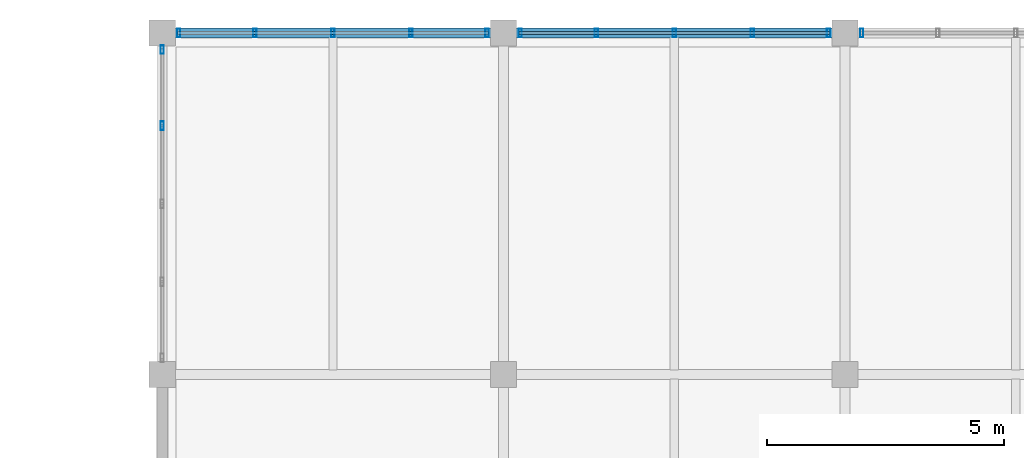
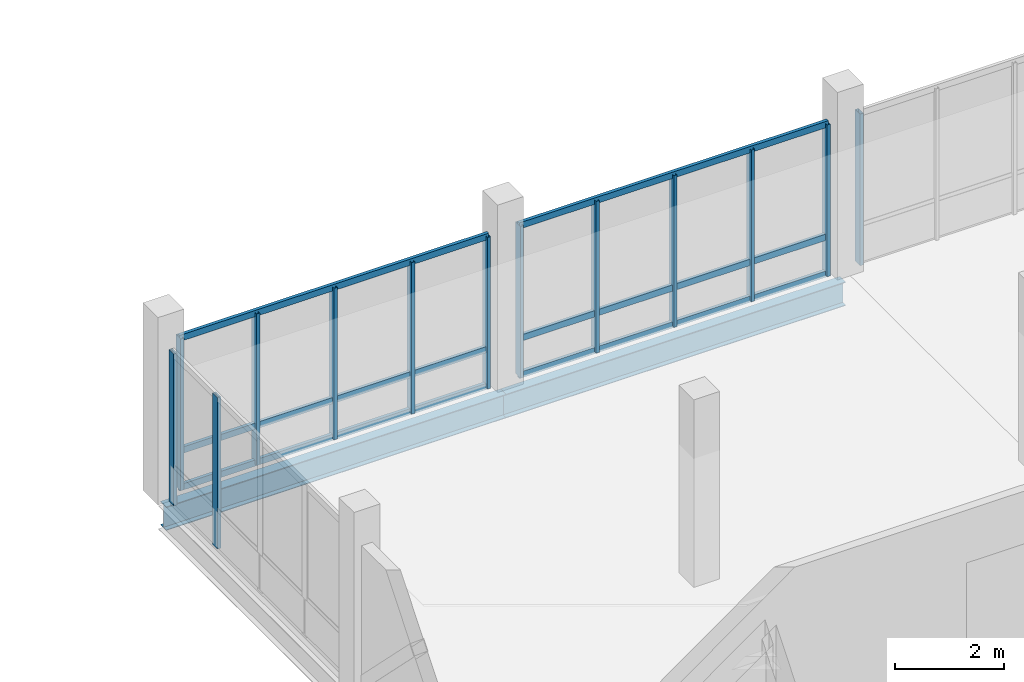
# One storey, part 19 of 47: 19 members, 2 beams, 4 elements without a shape of their own.
"""IFC4 building model written with IfcOpenShell, lengths in metres."""

from ifc_helpers import new_model, si_unit, direction, frame, origin, origin_2d, place, context, subcontext, project, spatial, hollow_rectangle, i_section, extrude, material, material_profile, profile_set, type_object, element, aggregate, save


model = new_model("IFC4")

# Units and contexts
model_context = context("Model", 3, precision=1e-05, world=origin(), true_north=direction((0.0, 1.0)))
body_context = subcontext(model_context, "Body", "Model", "MODEL_VIEW")
ifc_project = project(units=[si_unit("LENGTHUNIT", "METRE"), si_unit("AREAUNIT", "SQUARE_METRE"), si_unit("VOLUMEUNIT", "CUBIC_METRE"), si_unit("PLANEANGLEUNIT", "RADIAN"), si_unit("MASSUNIT", "GRAM", prefix="KILO")], contexts=[model_context])

# Site, building, storey
site_placement = place(None, origin())
site = spatial("IfcSite", under=ifc_project, at=site_placement, CompositionType="ELEMENT")
building_placement = place(site_placement, origin())
building = spatial("IfcBuilding", under=site, at=building_placement, Name="Yarey Park Central Fire Station", CompositionType="ELEMENT")
storey_placement = place(building_placement, frame((0.0, 0.0, 18.0)))
storey = spatial("IfcBuildingStorey", under=building, at=storey_placement, Name="L05", CompositionType="ELEMENT", Elevation=18.0)

# Curtain wall, members
ifc_material_1 = material(Name="Anodized Aluminium Frame", Category="aluminium")
curtain_wall_type = type_object("IfcCurtainWallType", Name="ENV_CW_HQ_L05", PredefinedType="NOTDEFINED", material=ifc_material_1)
curtain_wall_1_placement = place(storey_placement, origin())
curtain_wall_1 = element("IfcCurtainWall", 1, at=curtain_wall_1_placement, inside=storey, type_object=curtain_wall_type, Name="CW_L05_V4_N_1", PredefinedType="NOTDEFINED")
ifc_material_profile_1 = material_profile(ifc_material_1, hollow_rectangle(XDim=0.070068359375, YDim=0.179931640625, WallThickness=0.00390625, at=origin_2d()), Name="ALU 180x70x4")
ifc_profile_set_1 = profile_set([ifc_material_profile_1], Name="Anodized Aluminium Frame")
member_type_1 = type_object("IfcMemberType", Name="ENV_CW_MULLION", PredefinedType="MULLION", material=ifc_profile_set_1)
member_1_placement = place(storey_placement, frame((122.050048828125, 115.199951171875, 0.0), z_axis=(0.0, 0.0, 1.0), x_axis=(1.0, 0.0, 0.0)))
member_1 = element("IfcMember", 2, at=member_1_placement, type_object=member_type_1, Name="CW_L05_V4_N_1_MUL1", PredefinedType="MULLION", context=body_context, shape_type="SweptSolid", body=[
    extrude(hollow_rectangle(XDim=0.070068359375, YDim=0.179931640625, WallThickness=0.00390625, at=origin_2d()), origin(), (0.0, 0.0, 1.0), 3.39990234375),
])
member_2_placement = place(storey_placement, frame((120.445068359375, 115.199951171875, 0.0), z_axis=(0.0, 0.0, 1.0), x_axis=(1.0, 0.0, 0.0)))
member_2 = element("IfcMember", 3, at=member_2_placement, type_object=member_type_1, Name="CW_L05_V4_N_1_MUL2", PredefinedType="MULLION", context=body_context, shape_type="SweptSolid", body=[
    extrude(hollow_rectangle(XDim=0.070068359375, YDim=0.179931640625, WallThickness=0.00390625, at=origin_2d()), origin(), (0.0, 0.0, 1.0), 3.39990234375),
])
member_3_placement = place(storey_placement, frame((118.800048828125, 115.199951171875, 0.0), z_axis=(0.0, 0.0, 1.0), x_axis=(1.0, 0.0, 0.0)))
member_3 = element("IfcMember", 4, at=member_3_placement, type_object=member_type_1, Name="CW_L05_V4_N_1_MUL3", PredefinedType="MULLION", context=body_context, shape_type="SweptSolid", body=[
    extrude(hollow_rectangle(XDim=0.070068359375, YDim=0.179931640625, WallThickness=0.00390625, at=origin_2d()), origin(), (0.0, 0.0, 1.0), 3.39990234375),
])
member_4_placement = place(storey_placement, frame((117.155029296875, 115.199951171875, 0.0), z_axis=(0.0, 0.0, 1.0), x_axis=(1.0, 0.0, 0.0)))
member_4 = element("IfcMember", 5, at=member_4_placement, type_object=member_type_1, Name="CW_L05_V4_N_1_MUL4", PredefinedType="MULLION", context=body_context, shape_type="SweptSolid", body=[
    extrude(hollow_rectangle(XDim=0.070068359375, YDim=0.179931640625, WallThickness=0.00390625, at=origin_2d()), origin(), (0.0, 0.0, 1.0), 3.39990234375),
])
member_5_placement = place(storey_placement, frame((115.550048828125, 115.199951171875, 0.0), z_axis=(0.0, 0.0, 1.0), x_axis=(1.0, 0.0, 0.0)))
member_5 = element("IfcMember", 6, at=member_5_placement, type_object=member_type_1, Name="CW_L05_V4_N_1_MUL5", PredefinedType="MULLION", context=body_context, shape_type="SweptSolid", body=[
    extrude(hollow_rectangle(XDim=0.070068359375, YDim=0.179931640625, WallThickness=0.00390625, at=origin_2d()), origin(), (0.0, 0.0, 1.0), 3.39990234375),
])

curtain_wall_2_placement = place(storey_placement, origin())
curtain_wall_2 = element("IfcCurtainWall", 7, at=curtain_wall_2_placement, inside=storey, type_object=curtain_wall_type, Name="CW_L05_V4_N_2", PredefinedType="NOTDEFINED")
member_6_placement = place(storey_placement, frame((129.25, 115.199951171875, 0.0), z_axis=(0.0, 0.0, 1.0), x_axis=(1.0, 0.0, 0.0)))
member_6 = element("IfcMember", 8, at=member_6_placement, type_object=member_type_1, Name="CW_L05_V4_N_2_MUL1", PredefinedType="MULLION", context=body_context, shape_type="SweptSolid", body=[
    extrude(hollow_rectangle(XDim=0.070068359375, YDim=0.179931640625, WallThickness=0.00390625, at=origin_2d()), origin(), (0.0, 0.0, 1.0), 3.39990234375),
])
member_7_placement = place(storey_placement, frame((127.64501953125, 115.199951171875, 0.0), z_axis=(0.0, 0.0, 1.0), x_axis=(1.0, 0.0, 0.0)))
member_7 = element("IfcMember", 9, at=member_7_placement, type_object=member_type_1, Name="CW_L05_V4_N_2_MUL2", PredefinedType="MULLION", context=body_context, shape_type="SweptSolid", body=[
    extrude(hollow_rectangle(XDim=0.070068359375, YDim=0.179931640625, WallThickness=0.00390625, at=origin_2d()), origin(), (0.0, 0.0, 1.0), 3.39990234375),
])
member_8_placement = place(storey_placement, frame((126.0, 115.199951171875, 0.0), z_axis=(0.0, 0.0, 1.0), x_axis=(1.0, 0.0, 0.0)))
member_8 = element("IfcMember", 10, at=member_8_placement, type_object=member_type_1, Name="CW_L05_V4_N_2_MUL3", PredefinedType="MULLION", context=body_context, shape_type="SweptSolid", body=[
    extrude(hollow_rectangle(XDim=0.070068359375, YDim=0.179931640625, WallThickness=0.00390625, at=origin_2d()), origin(), (0.0, 0.0, 1.0), 3.39990234375),
])
member_9_placement = place(storey_placement, frame((124.35498046875, 115.199951171875, 0.0), z_axis=(0.0, 0.0, 1.0), x_axis=(1.0, 0.0, 0.0)))
member_9 = element("IfcMember", 11, at=member_9_placement, type_object=member_type_1, Name="CW_L05_V4_N_2_MUL4", PredefinedType="MULLION", context=body_context, shape_type="SweptSolid", body=[
    extrude(hollow_rectangle(XDim=0.070068359375, YDim=0.179931640625, WallThickness=0.00390625, at=origin_2d()), origin(), (0.0, 0.0, 1.0), 3.39990234375),
])
member_10_placement = place(storey_placement, frame((122.75, 115.199951171875, 0.0), z_axis=(0.0, 0.0, 1.0), x_axis=(1.0, 0.0, 0.0)))
member_10 = element("IfcMember", 12, at=member_10_placement, type_object=member_type_1, Name="CW_L05_V4_N_2_MUL5", PredefinedType="MULLION", context=body_context, shape_type="SweptSolid", body=[
    extrude(hollow_rectangle(XDim=0.070068359375, YDim=0.179931640625, WallThickness=0.00390625, at=origin_2d()), origin(), (0.0, 0.0, 1.0), 3.39990234375),
])

# Curtain wall, member
curtain_wall_3_placement = place(storey_placement, origin())
curtain_wall_3 = element("IfcCurtainWall", 13, at=curtain_wall_3_placement, inside=storey, type_object=curtain_wall_type, Name="CW_L05_V4_N_3", PredefinedType="NOTDEFINED")
member_11_placement = place(storey_placement, frame((129.949951171875, 115.199951171875, 0.0), z_axis=(0.0, 0.0, 1.0), x_axis=(1.0, 0.0, 0.0)))
member_11 = element("IfcMember", 14, at=member_11_placement, type_object=member_type_1, Name="CW_L05_V4_N_3_MUL5", PredefinedType="MULLION", context=body_context, shape_type="SweptSolid", body=[
    extrude(hollow_rectangle(XDim=0.070068359375, YDim=0.179931640625, WallThickness=0.00390625, at=origin_2d()), origin(), (0.0, 0.0, 1.0), 3.39990234375),
])
aggregate(curtain_wall_3, [member_11])

# Curtain wall, members
curtain_wall_4_placement = place(storey_placement, origin())
curtain_wall_4 = element("IfcCurtainWall", 15, at=curtain_wall_4_placement, inside=storey, type_object=curtain_wall_type, Name="CW_L05_V4_W_108", PredefinedType="NOTDEFINED")
member_12_placement = place(storey_placement, frame((115.199951171875, 114.85009765625, 0.0), z_axis=(0.0, 0.0, 1.0), x_axis=(1.0, 0.0, 0.0)))
member_12 = element("IfcMember", 16, at=member_12_placement, type_object=member_type_1, Name="CW_L05_V4_W_108_MUL1", PredefinedType="MULLION", context=body_context, shape_type="SweptSolid", body=[
    extrude(hollow_rectangle(XDim=0.070068359375, YDim=0.179931640625, WallThickness=0.00390625, at=origin_2d()), origin(), (0.0, 0.0, 1.0), 3.39990234375),
])
member_13_placement = place(storey_placement, frame((115.199951171875, 113.2451171875, 0.0), z_axis=(0.0, 0.0, 1.0), x_axis=(1.0, 0.0, 0.0)))
member_13 = element("IfcMember", 17, at=member_13_placement, type_object=member_type_1, Name="CW_L05_V4_W_108_MUL2", PredefinedType="MULLION", context=body_context, shape_type="SweptSolid", body=[
    extrude(hollow_rectangle(XDim=0.070068359375, YDim=0.179931640625, WallThickness=0.00390625, at=origin_2d()), origin(), (0.0, 0.0, 1.0), 3.39990234375),
])
aggregate(curtain_wall_4, [member_12, member_13])

# Member
ifc_material_profile_2 = material_profile(ifc_material_1, hollow_rectangle(XDim=0.070068359375, YDim=0.139892578125, WallThickness=0.00390625, at=origin_2d()), Name="ALU 140x70x4")
ifc_profile_set_2 = profile_set([ifc_material_profile_2], Name="Anodized Aluminium Frame")
member_type_2 = type_object("IfcMemberType", Name="ENV_CW_TRANSOM", PredefinedType="USERDEFINED", material=ifc_profile_set_2)
member_14_placement = place(storey_placement, frame((122.074951171875, 115.199951171875, 0.02490234375), z_axis=(-1.0, 0.0, 0.0), x_axis=(0.0, -1.0, 0.0)))
member_14 = element("IfcMember", 18, at=member_14_placement, type_object=member_type_2, Name="CW_L05_V4_N_1_TRN1", ObjectType="TRANSOM", PredefinedType="USERDEFINED", context=body_context, shape_type="SweptSolid", body=[
    extrude(hollow_rectangle(XDim=0.070068359375, YDim=0.139892578125, WallThickness=0.00390625, at=origin_2d()), origin(), (0.0, 0.0, 1.0), 6.550048828125),
])

member_15_placement = place(storey_placement, frame((122.074951171875, 115.199951171875, 0.85009765625), z_axis=(-1.0, 0.0, 0.0), x_axis=(0.0, -1.0, 0.0)))
member_15 = element("IfcMember", 19, at=member_15_placement, type_object=member_type_2, Name="CW_L05_V4_N_1_TRN2", ObjectType="TRANSOM", PredefinedType="USERDEFINED", context=body_context, shape_type="SweptSolid", body=[
    extrude(hollow_rectangle(XDim=0.070068359375, YDim=0.139892578125, WallThickness=0.00390625, at=origin_2d()), origin(), (0.0, 0.0, 1.0), 6.550048828125),
])

member_16_placement = place(storey_placement, frame((122.074951171875, 115.199951171875, 3.375), z_axis=(-1.0, 0.0, 0.0), x_axis=(0.0, -1.0, 0.0)))
member_16 = element("IfcMember", 20, at=member_16_placement, type_object=member_type_2, Name="CW_L05_V4_N_1_TRN3", ObjectType="TRANSOM", PredefinedType="USERDEFINED", context=body_context, shape_type="SweptSolid", body=[
    extrude(hollow_rectangle(XDim=0.070068359375, YDim=0.139892578125, WallThickness=0.00390625, at=origin_2d()), origin(), (0.0, 0.0, 1.0), 6.550048828125),
])

aggregate(curtain_wall_1, [member_1, member_2, member_3, member_4, member_5, member_14, member_15, member_16])

member_17_placement = place(storey_placement, frame((129.27490234375, 115.199951171875, 0.02490234375), z_axis=(-1.0, 0.0, 0.0), x_axis=(0.0, -1.0, 0.0)))
member_17 = element("IfcMember", 21, at=member_17_placement, type_object=member_type_2, Name="CW_L05_V4_N_2_TRN1", ObjectType="TRANSOM", PredefinedType="USERDEFINED", context=body_context, shape_type="SweptSolid", body=[
    extrude(hollow_rectangle(XDim=0.070068359375, YDim=0.139892578125, WallThickness=0.00390625, at=origin_2d()), origin(), (0.0, 0.0, 1.0), 6.5498046875),
])

member_18_placement = place(storey_placement, frame((129.27490234375, 115.199951171875, 0.85009765625), z_axis=(-1.0, 0.0, 0.0), x_axis=(0.0, -1.0, 0.0)))
member_18 = element("IfcMember", 22, at=member_18_placement, type_object=member_type_2, Name="CW_L05_V4_N_2_TRN2", ObjectType="TRANSOM", PredefinedType="USERDEFINED", context=body_context, shape_type="SweptSolid", body=[
    extrude(hollow_rectangle(XDim=0.070068359375, YDim=0.139892578125, WallThickness=0.00390625, at=origin_2d()), origin(), (0.0, 0.0, 1.0), 6.5498046875),
])

member_19_placement = place(storey_placement, frame((129.27490234375, 115.199951171875, 3.375), z_axis=(-1.0, 0.0, 0.0), x_axis=(0.0, -1.0, 0.0)))
member_19 = element("IfcMember", 23, at=member_19_placement, type_object=member_type_2, Name="CW_L05_V4_N_2_TRN3", ObjectType="TRANSOM", PredefinedType="USERDEFINED", context=body_context, shape_type="SweptSolid", body=[
    extrude(hollow_rectangle(XDim=0.070068359375, YDim=0.139892578125, WallThickness=0.00390625, at=origin_2d()), origin(), (0.0, 0.0, 1.0), 6.5498046875),
])

aggregate(curtain_wall_2, [member_6, member_7, member_8, member_9, member_10, member_17, member_18, member_19])

# Beams
ifc_material_2 = material(Name="Steel ASTM A992 Gr. 50", Category="steel")
ifc_material_profile_3 = material_profile(ifc_material_2, i_section(OverallWidth=0.208984375, OverallDepth=0.532958984375, WebThickness=0.01025390625, FlangeThickness=0.015625, at=origin_2d()), Name="W530x92")
ifc_profile_set_3 = profile_set([ifc_material_profile_3], Name="Steel ASTM A992 Gr. 50")
beam_type = type_object("IfcBeamType", Name="STR_BM_W530", PredefinedType="BEAM", material=ifc_profile_set_3)
beam_1_placement = place(storey_placement, frame((115.199951171875, 115.199951171875, -0.506591796875), z_axis=(1.0, 0.0, 0.0), x_axis=(0.0, 1.0, 0.0)))
element("IfcBeam", 24, at=beam_1_placement, inside=storey, type_object=beam_type, Name="BMX L05 Y1152 X1152", PredefinedType="BEAM", context=body_context, shape_type="SweptSolid", body=[
    extrude(i_section(OverallWidth=0.208984375, OverallDepth=0.532958984375, WebThickness=0.01025390625, FlangeThickness=0.015625, at=origin_2d()), origin(), (0.0, 0.0, 1.0), 7.199951171875),
])
beam_2_placement = place(storey_placement, frame((122.39990234375, 115.199951171875, -0.506591796875), z_axis=(1.0, 0.0, 0.0), x_axis=(0.0, 1.0, 0.0)))
element("IfcBeam", 25, at=beam_2_placement, inside=storey, type_object=beam_type, Name="BMX L05 Y1152 X1224", PredefinedType="BEAM", context=body_context, shape_type="SweptSolid", body=[
    extrude(i_section(OverallWidth=0.208984375, OverallDepth=0.532958984375, WebThickness=0.01025390625, FlangeThickness=0.015625, at=origin_2d()), origin(), (0.0, 0.0, 1.0), 7.2001953125),
])

save(model, "model.ifc")
